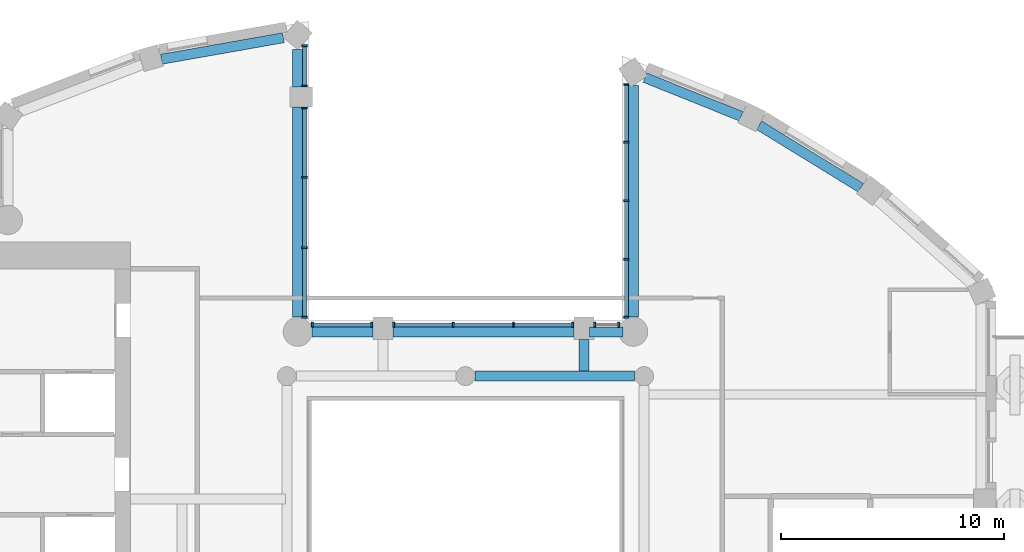
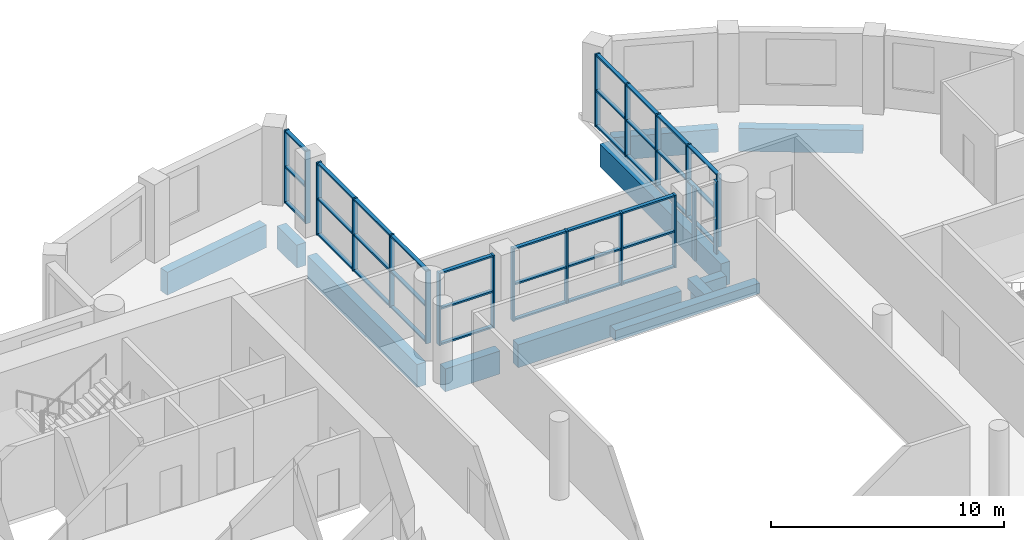
# One storey, part 2 of 14: 55 members, 11 beams, 6 elements without a shape of their own.
"""IFC4 building model written with IfcOpenShell, lengths in metres."""

from ifc_helpers import new_model, si_unit, direction, frame, origin, origin_2d, place, context, subcontext, project, spatial, rectangle, extrude, material, material_profile, profile_set, type_object, element, aggregate, save


model = new_model("IFC4")

# Units and contexts
model_context = context("Model", 3, precision=1e-05, world=origin(), true_north=direction((0.0, 1.0)))
body_context = subcontext(model_context, "Body", "Model", "MODEL_VIEW")
ifc_project = project(units=[si_unit("LENGTHUNIT", "METRE"), si_unit("AREAUNIT", "SQUARE_METRE"), si_unit("VOLUMEUNIT", "CUBIC_METRE"), si_unit("PLANEANGLEUNIT", "RADIAN"), si_unit("MASSUNIT", "GRAM", prefix="KILO")], contexts=[model_context])

# Site, building, storey
site_placement = place(None, origin())
site = spatial("IfcSite", under=ifc_project, at=site_placement, CompositionType="ELEMENT")
building_placement = place(site_placement, origin())
building = spatial("IfcBuilding", under=site, at=building_placement, Name="Cypress Arch Tower", CompositionType="ELEMENT")
storey_placement = place(building_placement, frame((0.0, 0.0, 255.699951171875)))
storey = spatial("IfcBuildingStorey", under=building, at=storey_placement, Name="L57", CompositionType="ELEMENT", Elevation=255.699951171875)

# Beams
ifc_material_1 = material(Name="Concrete C50/60", Category="concrete")
ifc_material_profile_1 = material_profile(ifc_material_1, rectangle(XDim=0.449951171875, YDim=0.550048828125, at=origin_2d()), Name="RC 450x550")
ifc_profile_set_1 = profile_set([ifc_material_profile_1], Name="Concrete C50/60")
beam_type_1 = type_object("IfcBeamType", Name="Floor beam RC 450x550 Concrete C50/60", PredefinedType="BEAM", material=ifc_profile_set_1)
beam_1_placement = place(storey_placement, frame((1.425048828125, 10.0, -0.574951171875), z_axis=(1.0, 0.0, 0.0), x_axis=(0.0, 1.0, 0.0)))
element("IfcBeam", 1, at=beam_1_placement, inside=storey, type_object=beam_type_1, Name="Floor beam L57 RB008", PredefinedType="BEAM", context=body_context, shape_type="SweptSolid", body=[
    extrude(rectangle(XDim=0.449951171875, YDim=0.550048828125, at=origin_2d()), origin(), (0.0, 0.0, 1.0), 7.14990234375),
])
beam_2_placement = place(storey_placement, frame((6.300048828125, 10.22509765625, -0.574951171875), z_axis=(0.0, 1.0, 0.0), x_axis=(-1.0, 0.0, 0.0)))
element("IfcBeam", 2, at=beam_2_placement, inside=storey, type_object=beam_type_1, Name="Floor beam L57 FB013", PredefinedType="BEAM", context=body_context, shape_type="SweptSolid", body=[
    extrude(rectangle(XDim=0.449951171875, YDim=0.550048828125, at=origin_2d()), origin(), (0.0, 0.0, 1.0), 1.4248046875),
])

# Curtain wall, members
ifc_material_2 = material(Name="Anodised aluminium, bronze finish, clear laminated double glazing", Category="aluminium")
curtain_wall_type = type_object("IfcCurtainWallType", Name="Curtain wall CW7 slot glazing", PredefinedType="NOTDEFINED", material=ifc_material_2)
curtain_wall_1_placement = place(storey_placement, origin())
curtain_wall_1 = element("IfcCurtainWall", 3, at=curtain_wall_1_placement, inside=storey, type_object=curtain_wall_type, Name="Curtain wall L57 slot C00.0", PredefinedType="NOTDEFINED")
ifc_material_3 = material(Name="Anodised aluminium, bronze finish", Category="aluminium")
ifc_material_profile_2 = material_profile(ifc_material_3, rectangle(XDim=0.239990234375, YDim=0.0849609375, at=origin_2d()), Name="Mullion 85x240")
ifc_profile_set_2 = profile_set([ifc_material_profile_2], Name="Anodised aluminium, bronze finish")
member_type_1 = type_object("IfcMemberType", Name="Mullion CW7 85x240", PredefinedType="MULLION", material=ifc_profile_set_2)
member_1_placement = place(storey_placement, frame((8.199951171875, 23.060302734375, 0.0), z_axis=(0.0, 0.0, 1.0), x_axis=(1.0, 0.0, 0.0)))
member_1 = element("IfcMember", 4, at=member_1_placement, type_object=member_type_1, Name="CW7 mullion 1", PredefinedType="MULLION", context=body_context, shape_type="SweptSolid", body=[
    extrude(rectangle(XDim=0.239990234375, YDim=0.0849609375, at=origin_2d()), origin(), (0.0, 0.0, 1.0), 3.800048828125),
])
member_2_placement = place(storey_placement, frame((8.199951171875, 20.477294921875, 0.0), z_axis=(0.0, 0.0, 1.0), x_axis=(1.0, 0.0, 0.0)))
member_2 = element("IfcMember", 5, at=member_2_placement, type_object=member_type_1, Name="CW7 mullion 2", PredefinedType="MULLION", context=body_context, shape_type="SweptSolid", body=[
    extrude(rectangle(XDim=0.239990234375, YDim=0.0849609375, at=origin_2d()), origin(), (0.0, 0.0, 1.0), 3.800048828125),
])
member_3_placement = place(storey_placement, frame((8.199951171875, 17.85205078125, 0.0), z_axis=(0.0, 0.0, 1.0), x_axis=(1.0, 0.0, 0.0)))
member_3 = element("IfcMember", 6, at=member_3_placement, type_object=member_type_1, Name="CW7 mullion 3", PredefinedType="MULLION", context=body_context, shape_type="SweptSolid", body=[
    extrude(rectangle(XDim=0.239990234375, YDim=0.0849609375, at=origin_2d()), origin(), (0.0, 0.0, 1.0), 3.800048828125),
])
member_4_placement = place(storey_placement, frame((8.199951171875, 15.226806640625, 0.0), z_axis=(0.0, 0.0, 1.0), x_axis=(1.0, 0.0, 0.0)))
member_4 = element("IfcMember", 7, at=member_4_placement, type_object=member_type_1, Name="CW7 mullion 4", PredefinedType="MULLION", context=body_context, shape_type="SweptSolid", body=[
    extrude(rectangle(XDim=0.239990234375, YDim=0.0849609375, at=origin_2d()), origin(), (0.0, 0.0, 1.0), 3.800048828125),
])
member_5_placement = place(storey_placement, frame((8.199951171875, 12.64404296875, 0.0), z_axis=(0.0, 0.0, 1.0), x_axis=(1.0, 0.0, 0.0)))
member_5 = element("IfcMember", 8, at=member_5_placement, type_object=member_type_1, Name="CW7 mullion 5", PredefinedType="MULLION", context=body_context, shape_type="SweptSolid", body=[
    extrude(rectangle(XDim=0.239990234375, YDim=0.0849609375, at=origin_2d()), origin(), (0.0, 0.0, 1.0), 3.800048828125),
])

curtain_wall_2_placement = place(storey_placement, origin())
curtain_wall_2 = element("IfcCurtainWall", 9, at=curtain_wall_2_placement, inside=storey, type_object=curtain_wall_type, Name="Curtain wall L57 slot C01.0", PredefinedType="NOTDEFINED")
member_6_placement = place(storey_placement, frame((7.85595703125, 12.300048828125, 0.0), z_axis=(0.0, 0.0, 1.0), x_axis=(0.0, -1.0, 0.0)))
member_6 = element("IfcMember", 10, at=member_6_placement, type_object=member_type_1, Name="CW7 mullion 1", PredefinedType="MULLION", context=body_context, shape_type="SweptSolid", body=[
    extrude(rectangle(XDim=0.239990234375, YDim=0.0849609375, at=origin_2d()), origin(), (0.0, 0.0, 1.0), 3.800048828125),
])
member_7_placement = place(storey_placement, frame((6.79248046875, 12.300048828125, 0.0), z_axis=(0.0, 0.0, 1.0), x_axis=(0.0, -1.0, 0.0)))
member_7 = element("IfcMember", 11, at=member_7_placement, type_object=member_type_1, Name="CW7 mullion 2", PredefinedType="MULLION", context=body_context, shape_type="SweptSolid", body=[
    extrude(rectangle(XDim=0.239990234375, YDim=0.0849609375, at=origin_2d()), origin(), (0.0, 0.0, 1.0), 3.800048828125),
])
aggregate(curtain_wall_2, [member_6, member_7])

curtain_wall_3_placement = place(storey_placement, origin())
curtain_wall_3 = element("IfcCurtainWall", 12, at=curtain_wall_3_placement, inside=storey, type_object=curtain_wall_type, Name="Curtain wall L57 slot C01.1", PredefinedType="NOTDEFINED")
member_8_placement = place(storey_placement, frame((5.8076171875, 12.300048828125, 0.0), z_axis=(0.0, 0.0, 1.0), x_axis=(0.0, -1.0, 0.0)))
member_8 = element("IfcMember", 13, at=member_8_placement, type_object=member_type_1, Name="CW7 mullion 1", PredefinedType="MULLION", context=body_context, shape_type="SweptSolid", body=[
    extrude(rectangle(XDim=0.239990234375, YDim=0.0849609375, at=origin_2d()), origin(), (0.0, 0.0, 1.0), 3.800048828125),
])
member_9_placement = place(storey_placement, frame((3.14990234375, 12.300048828125, 0.0), z_axis=(0.0, 0.0, 1.0), x_axis=(0.0, -1.0, 0.0)))
member_9 = element("IfcMember", 14, at=member_9_placement, type_object=member_type_1, Name="CW7 mullion 2", PredefinedType="MULLION", context=body_context, shape_type="SweptSolid", body=[
    extrude(rectangle(XDim=0.239990234375, YDim=0.0849609375, at=origin_2d()), origin(), (0.0, 0.0, 1.0), 3.800048828125),
])
member_10_placement = place(storey_placement, frame((0.449951171875, 12.300048828125, 0.0), z_axis=(0.0, 0.0, 1.0), x_axis=(0.0, -1.0, 0.0)))
member_10 = element("IfcMember", 15, at=member_10_placement, type_object=member_type_1, Name="CW7 mullion 3", PredefinedType="MULLION", context=body_context, shape_type="SweptSolid", body=[
    extrude(rectangle(XDim=0.239990234375, YDim=0.0849609375, at=origin_2d()), origin(), (0.0, 0.0, 1.0), 3.800048828125),
])
member_11_placement = place(storey_placement, frame((-2.20751953125, 12.300048828125, 0.0), z_axis=(0.0, 0.0, 1.0), x_axis=(0.0, -1.0, 0.0)))
member_11 = element("IfcMember", 16, at=member_11_placement, type_object=member_type_1, Name="CW7 mullion 4", PredefinedType="MULLION", context=body_context, shape_type="SweptSolid", body=[
    extrude(rectangle(XDim=0.239990234375, YDim=0.0849609375, at=origin_2d()), origin(), (0.0, 0.0, 1.0), 3.800048828125),
])

curtain_wall_4_placement = place(storey_placement, origin())
curtain_wall_4 = element("IfcCurtainWall", 17, at=curtain_wall_4_placement, inside=storey, type_object=curtain_wall_type, Name="Curtain wall L57 slot C01.2", PredefinedType="NOTDEFINED")
member_12_placement = place(storey_placement, frame((-3.1923828125, 12.300048828125, 0.0), z_axis=(0.0, 0.0, 1.0), x_axis=(0.0, -1.0, 0.0)))
member_12 = element("IfcMember", 18, at=member_12_placement, type_object=member_type_1, Name="CW7 mullion 1", PredefinedType="MULLION", context=body_context, shape_type="SweptSolid", body=[
    extrude(rectangle(XDim=0.239990234375, YDim=0.0849609375, at=origin_2d()), origin(), (0.0, 0.0, 1.0), 3.800048828125),
])
member_13_placement = place(storey_placement, frame((-5.85595703125, 12.300048828125, 0.0), z_axis=(0.0, 0.0, 1.0), x_axis=(0.0, -1.0, 0.0)))
member_13 = element("IfcMember", 19, at=member_13_placement, type_object=member_type_1, Name="CW7 mullion 2", PredefinedType="MULLION", context=body_context, shape_type="SweptSolid", body=[
    extrude(rectangle(XDim=0.239990234375, YDim=0.0849609375, at=origin_2d()), origin(), (0.0, 0.0, 1.0), 3.800048828125),
])

curtain_wall_5_placement = place(storey_placement, origin())
curtain_wall_5 = element("IfcCurtainWall", 20, at=curtain_wall_5_placement, inside=storey, type_object=curtain_wall_type, Name="Curtain wall L57 slot C02.0", PredefinedType="NOTDEFINED")
member_14_placement = place(storey_placement, frame((-6.199951171875, 12.64404296875, 0.0), z_axis=(0.0, 0.0, 1.0), x_axis=(-1.0, 0.0, 0.0)))
member_14 = element("IfcMember", 21, at=member_14_placement, type_object=member_type_1, Name="CW7 mullion 1", PredefinedType="MULLION", context=body_context, shape_type="SweptSolid", body=[
    extrude(rectangle(XDim=0.239990234375, YDim=0.0849609375, at=origin_2d()), origin(), (0.0, 0.0, 1.0), 3.800048828125),
])
member_15_placement = place(storey_placement, frame((-6.199951171875, 15.7509765625, 0.0), z_axis=(0.0, 0.0, 1.0), x_axis=(-1.0, 0.0, 0.0)))
member_15 = element("IfcMember", 22, at=member_15_placement, type_object=member_type_1, Name="CW7 mullion 2", PredefinedType="MULLION", context=body_context, shape_type="SweptSolid", body=[
    extrude(rectangle(XDim=0.239990234375, YDim=0.0849609375, at=origin_2d()), origin(), (0.0, 0.0, 1.0), 3.800048828125),
])
member_16_placement = place(storey_placement, frame((-6.199951171875, 18.900390625, 0.0), z_axis=(0.0, 0.0, 1.0), x_axis=(-1.0, 0.0, 0.0)))
member_16 = element("IfcMember", 23, at=member_16_placement, type_object=member_type_1, Name="CW7 mullion 3", PredefinedType="MULLION", context=body_context, shape_type="SweptSolid", body=[
    extrude(rectangle(XDim=0.239990234375, YDim=0.0849609375, at=origin_2d()), origin(), (0.0, 0.0, 1.0), 3.800048828125),
])
member_17_placement = place(storey_placement, frame((-6.199951171875, 22.007568359375, 0.0), z_axis=(0.0, 0.0, 1.0), x_axis=(-1.0, 0.0, 0.0)))
member_17 = element("IfcMember", 24, at=member_17_placement, type_object=member_type_1, Name="CW7 mullion 4", PredefinedType="MULLION", context=body_context, shape_type="SweptSolid", body=[
    extrude(rectangle(XDim=0.239990234375, YDim=0.0849609375, at=origin_2d()), origin(), (0.0, 0.0, 1.0), 3.800048828125),
])

curtain_wall_6_placement = place(storey_placement, origin())
curtain_wall_6 = element("IfcCurtainWall", 25, at=curtain_wall_6_placement, inside=storey, type_object=curtain_wall_type, Name="Curtain wall L57 slot C02.1", PredefinedType="NOTDEFINED")
member_18_placement = place(storey_placement, frame((-6.199951171875, 22.992431640625, 0.0), z_axis=(0.0, 0.0, 1.0), x_axis=(-1.0, 0.0, 0.0)))
member_18 = element("IfcMember", 26, at=member_18_placement, type_object=member_type_1, Name="CW7 mullion 1", PredefinedType="MULLION", context=body_context, shape_type="SweptSolid", body=[
    extrude(rectangle(XDim=0.239990234375, YDim=0.0849609375, at=origin_2d()), origin(), (0.0, 0.0, 1.0), 3.800048828125),
])
member_19_placement = place(storey_placement, frame((-6.199951171875, 24.789794921875, 0.0), z_axis=(0.0, 0.0, 1.0), x_axis=(-1.0, 0.0, 0.0)))
member_19 = element("IfcMember", 27, at=member_19_placement, type_object=member_type_1, Name="CW7 mullion 2", PredefinedType="MULLION", context=body_context, shape_type="SweptSolid", body=[
    extrude(rectangle(XDim=0.239990234375, YDim=0.0849609375, at=origin_2d()), origin(), (0.0, 0.0, 1.0), 3.800048828125),
])

# Beams
ifc_material_4 = material(Name="Concrete C50/60", Category="concrete")
ifc_material_profile_3 = material_profile(ifc_material_4, rectangle(XDim=0.449951171875, YDim=1.199951171875, at=origin_2d()), Name="RC 450x1200")
ifc_profile_set_3 = profile_set([ifc_material_profile_3], Name="Concrete C50/60")
beam_type_2 = type_object("IfcBeamType", Name="Spandrel beam RC 450x1200 Concrete C50/60", PredefinedType="SPANDREL", material=ifc_profile_set_3)
beam_3_placement = place(storey_placement, frame((8.52490234375, 23.017578125, -1.550048828125), z_axis=(0.0, -1.0, 0.0), x_axis=(1.0, 0.0, 0.0)))
element("IfcBeam", 28, at=beam_3_placement, inside=storey, type_object=beam_type_2, Name="Spandrel beam L57 BC00-0", PredefinedType="SPANDREL", context=body_context, shape_type="SweptSolid", body=[
    extrude(rectangle(XDim=0.449951171875, YDim=1.199951171875, at=origin_2d()), origin(), (0.0, 0.0, 1.0), 10.380126953125),
])
beam_4_placement = place(storey_placement, frame((8.05615234375, 11.97509765625, -1.550048828125), z_axis=(-1.0, 0.0, 0.0), x_axis=(0.0, -1.0, 0.0)))
element("IfcBeam", 29, at=beam_4_placement, inside=storey, type_object=beam_type_2, Name="Spandrel beam L57 BC01-0", PredefinedType="SPANDREL", context=body_context, shape_type="SweptSolid", body=[
    extrude(rectangle(XDim=0.449951171875, YDim=1.199951171875, at=origin_2d()), origin(), (0.0, 0.0, 1.0), 1.5),
])
beam_5_placement = place(storey_placement, frame((5.85009765625, 11.97509765625, -1.550048828125), z_axis=(-1.0, 0.0, 0.0), x_axis=(0.0, -1.0, 0.0)))
element("IfcBeam", 30, at=beam_5_placement, inside=storey, type_object=beam_type_2, Name="Spandrel beam L57 BC01-1", PredefinedType="SPANDREL", context=body_context, shape_type="SweptSolid", body=[
    extrude(rectangle(XDim=0.449951171875, YDim=1.199951171875, at=origin_2d()), origin(), (0.0, 0.0, 1.0), 8.10009765625),
])
beam_6_placement = place(storey_placement, frame((-3.14990234375, 11.97509765625, -1.550048828125), z_axis=(-1.0, 0.0, 0.0), x_axis=(0.0, -1.0, 0.0)))
element("IfcBeam", 31, at=beam_6_placement, inside=storey, type_object=beam_type_2, Name="Spandrel beam L57 BC01-2", PredefinedType="SPANDREL", context=body_context, shape_type="SweptSolid", body=[
    extrude(rectangle(XDim=0.449951171875, YDim=1.199951171875, at=origin_2d()), origin(), (0.0, 0.0, 1.0), 2.712646484375),
])
beam_7_placement = place(storey_placement, frame((-6.52490234375, 12.637451171875, -1.550048828125), z_axis=(0.0, 1.0, 0.0), x_axis=(-1.0, 0.0, 0.0)))
element("IfcBeam", 32, at=beam_7_placement, inside=storey, type_object=beam_type_2, Name="Spandrel beam L57 BC02-0", PredefinedType="SPANDREL", context=body_context, shape_type="SweptSolid", body=[
    extrude(rectangle(XDim=0.449951171875, YDim=1.199951171875, at=origin_2d()), origin(), (0.0, 0.0, 1.0), 9.41259765625),
])
beam_8_placement = place(storey_placement, frame((-6.52490234375, 22.949951171875, -1.550048828125), z_axis=(0.0, 1.0, 0.0), x_axis=(-1.0, 0.0, 0.0)))
element("IfcBeam", 33, at=beam_8_placement, inside=storey, type_object=beam_type_2, Name="Spandrel beam L57 BC02-1", PredefinedType="SPANDREL", context=body_context, shape_type="SweptSolid", body=[
    extrude(rectangle(XDim=0.449951171875, YDim=1.199951171875, at=origin_2d()), origin(), (0.0, 0.0, 1.0), 1.6796875),
])
beam_9_placement = place(storey_placement, frame((-7.14990234375, 25.154052734375, -1.550048828125), z_axis=(-0.984800388539, -0.173689938494, 0.0), x_axis=(0.173689938494, -0.984800388539, 0.0)))
element("IfcBeam", 34, at=beam_9_placement, inside=storey, type_object=beam_type_2, Name="Spandrel beam L57 BC03-0", PredefinedType="SPANDREL", context=body_context, shape_type="SweptSolid", body=[
    extrude(rectangle(XDim=0.449951171875, YDim=1.199951171875, at=origin_2d()), origin(), (0.0, 0.0, 1.0), 5.5478515625),
])
beam_10_placement = place(storey_placement, frame((18.700927734375, 18.43359375, -1.550048828125), z_axis=(-0.851880940975, 0.523735488966, 0.0), x_axis=(-0.523735488966, -0.851880940975, 0.0)))
element("IfcBeam", 35, at=beam_10_placement, inside=storey, type_object=beam_type_2, Name="Spandrel beam L57 BC19-0", PredefinedType="SPANDREL", context=body_context, shape_type="SweptSolid", body=[
    extrude(rectangle(XDim=0.449951171875, YDim=1.199951171875, at=origin_2d()), origin(), (0.0, 0.0, 1.0), 5.344970703125),
])
beam_11_placement = place(storey_placement, frame((13.343994140625, 21.6376953125, -1.550048828125), z_axis=(-0.92793836678, 0.372733668263, 0.0), x_axis=(-0.372733668263, -0.92793836678, 0.0)))
element("IfcBeam", 36, at=beam_11_placement, inside=storey, type_object=beam_type_2, Name="Spandrel beam L57 BC20-0", PredefinedType="SPANDREL", context=body_context, shape_type="SweptSolid", body=[
    extrude(rectangle(XDim=0.449951171875, YDim=1.199951171875, at=origin_2d()), origin(), (0.0, 0.0, 1.0), 4.637451171875),
])

# Member
ifc_material_5 = material(Name="Anodised aluminium, bronze finish", Category="aluminium")
ifc_material_profile_4 = material_profile(ifc_material_5, rectangle(XDim=0.179931640625, YDim=0.0849609375, at=origin_2d()), Name="Transom 85x180")
ifc_profile_set_4 = profile_set([ifc_material_profile_4], Name="Anodised aluminium, bronze finish")
member_type_2 = type_object("IfcMemberType", Name="Transom CW7 85x180", PredefinedType="USERDEFINED", material=ifc_profile_set_4)
member_20_placement = place(storey_placement, frame((8.199951171875, 23.017578125, 0.04248046875), z_axis=(0.0, -1.0, 0.0), x_axis=(1.0, 0.0, 0.0)))
member_20 = element("IfcMember", 37, at=member_20_placement, type_object=member_type_2, Name="CW7 transom 1.1", ObjectType="TRANSOM", PredefinedType="USERDEFINED", context=body_context, shape_type="SweptSolid", body=[
    extrude(rectangle(XDim=0.179931640625, YDim=0.0849609375, at=origin_2d()), origin(), (0.0, 0.0, 1.0), 2.497802734375),
])

member_21_placement = place(storey_placement, frame((8.199951171875, 23.017578125, 1.900146484375), z_axis=(0.0, -1.0, 0.0), x_axis=(1.0, 0.0, 0.0)))
member_21 = element("IfcMember", 38, at=member_21_placement, type_object=member_type_2, Name="CW7 transom 1.2", ObjectType="TRANSOM", PredefinedType="USERDEFINED", context=body_context, shape_type="SweptSolid", body=[
    extrude(rectangle(XDim=0.179931640625, YDim=0.0849609375, at=origin_2d()), origin(), (0.0, 0.0, 1.0), 2.497802734375),
])

member_22_placement = place(storey_placement, frame((8.199951171875, 23.017578125, 3.757568359375), z_axis=(0.0, -1.0, 0.0), x_axis=(1.0, 0.0, 0.0)))
member_22 = element("IfcMember", 39, at=member_22_placement, type_object=member_type_2, Name="CW7 transom 1.3", ObjectType="TRANSOM", PredefinedType="USERDEFINED", context=body_context, shape_type="SweptSolid", body=[
    extrude(rectangle(XDim=0.179931640625, YDim=0.0849609375, at=origin_2d()), origin(), (0.0, 0.0, 1.0), 2.497802734375),
])

member_23_placement = place(storey_placement, frame((8.199951171875, 20.434814453125, 0.04248046875), z_axis=(0.0, -1.0, 0.0), x_axis=(1.0, 0.0, 0.0)))
member_23 = element("IfcMember", 40, at=member_23_placement, type_object=member_type_2, Name="CW7 transom 2.1", ObjectType="TRANSOM", PredefinedType="USERDEFINED", context=body_context, shape_type="SweptSolid", body=[
    extrude(rectangle(XDim=0.179931640625, YDim=0.0849609375, at=origin_2d()), origin(), (0.0, 0.0, 1.0), 2.540283203125),
])

member_24_placement = place(storey_placement, frame((8.199951171875, 20.434814453125, 1.900146484375), z_axis=(0.0, -1.0, 0.0), x_axis=(1.0, 0.0, 0.0)))
member_24 = element("IfcMember", 41, at=member_24_placement, type_object=member_type_2, Name="CW7 transom 2.2", ObjectType="TRANSOM", PredefinedType="USERDEFINED", context=body_context, shape_type="SweptSolid", body=[
    extrude(rectangle(XDim=0.179931640625, YDim=0.0849609375, at=origin_2d()), origin(), (0.0, 0.0, 1.0), 2.540283203125),
])

member_25_placement = place(storey_placement, frame((8.199951171875, 20.434814453125, 3.757568359375), z_axis=(0.0, -1.0, 0.0), x_axis=(1.0, 0.0, 0.0)))
member_25 = element("IfcMember", 42, at=member_25_placement, type_object=member_type_2, Name="CW7 transom 2.3", ObjectType="TRANSOM", PredefinedType="USERDEFINED", context=body_context, shape_type="SweptSolid", body=[
    extrude(rectangle(XDim=0.179931640625, YDim=0.0849609375, at=origin_2d()), origin(), (0.0, 0.0, 1.0), 2.540283203125),
])

member_26_placement = place(storey_placement, frame((8.199951171875, 17.8095703125, 0.04248046875), z_axis=(0.0, -1.0, 0.0), x_axis=(1.0, 0.0, 0.0)))
member_26 = element("IfcMember", 43, at=member_26_placement, type_object=member_type_2, Name="CW7 transom 3.1", ObjectType="TRANSOM", PredefinedType="USERDEFINED", context=body_context, shape_type="SweptSolid", body=[
    extrude(rectangle(XDim=0.179931640625, YDim=0.0849609375, at=origin_2d()), origin(), (0.0, 0.0, 1.0), 2.540283203125),
])

member_27_placement = place(storey_placement, frame((8.199951171875, 17.8095703125, 1.900146484375), z_axis=(0.0, -1.0, 0.0), x_axis=(1.0, 0.0, 0.0)))
member_27 = element("IfcMember", 44, at=member_27_placement, type_object=member_type_2, Name="CW7 transom 3.2", ObjectType="TRANSOM", PredefinedType="USERDEFINED", context=body_context, shape_type="SweptSolid", body=[
    extrude(rectangle(XDim=0.179931640625, YDim=0.0849609375, at=origin_2d()), origin(), (0.0, 0.0, 1.0), 2.540283203125),
])

member_28_placement = place(storey_placement, frame((8.199951171875, 17.8095703125, 3.757568359375), z_axis=(0.0, -1.0, 0.0), x_axis=(1.0, 0.0, 0.0)))
member_28 = element("IfcMember", 45, at=member_28_placement, type_object=member_type_2, Name="CW7 transom 3.3", ObjectType="TRANSOM", PredefinedType="USERDEFINED", context=body_context, shape_type="SweptSolid", body=[
    extrude(rectangle(XDim=0.179931640625, YDim=0.0849609375, at=origin_2d()), origin(), (0.0, 0.0, 1.0), 2.540283203125),
])

member_29_placement = place(storey_placement, frame((8.199951171875, 15.184326171875, 0.04248046875), z_axis=(0.0, -1.0, 0.0), x_axis=(1.0, 0.0, 0.0)))
member_29 = element("IfcMember", 46, at=member_29_placement, type_object=member_type_2, Name="CW7 transom 4.1", ObjectType="TRANSOM", PredefinedType="USERDEFINED", context=body_context, shape_type="SweptSolid", body=[
    extrude(rectangle(XDim=0.179931640625, YDim=0.0849609375, at=origin_2d()), origin(), (0.0, 0.0, 1.0), 2.497802734375),
])

member_30_placement = place(storey_placement, frame((8.199951171875, 15.184326171875, 1.900146484375), z_axis=(0.0, -1.0, 0.0), x_axis=(1.0, 0.0, 0.0)))
member_30 = element("IfcMember", 47, at=member_30_placement, type_object=member_type_2, Name="CW7 transom 4.2", ObjectType="TRANSOM", PredefinedType="USERDEFINED", context=body_context, shape_type="SweptSolid", body=[
    extrude(rectangle(XDim=0.179931640625, YDim=0.0849609375, at=origin_2d()), origin(), (0.0, 0.0, 1.0), 2.497802734375),
])

member_31_placement = place(storey_placement, frame((8.199951171875, 15.184326171875, 3.757568359375), z_axis=(0.0, -1.0, 0.0), x_axis=(1.0, 0.0, 0.0)))
member_31 = element("IfcMember", 48, at=member_31_placement, type_object=member_type_2, Name="CW7 transom 4.3", ObjectType="TRANSOM", PredefinedType="USERDEFINED", context=body_context, shape_type="SweptSolid", body=[
    extrude(rectangle(XDim=0.179931640625, YDim=0.0849609375, at=origin_2d()), origin(), (0.0, 0.0, 1.0), 2.497802734375),
])

aggregate(curtain_wall_1, [member_1, member_2, member_3, member_4, member_5, member_20, member_21, member_22, member_23, member_24, member_25, member_26, member_27, member_28, member_29, member_30, member_31])

member_32_placement = place(storey_placement, frame((5.764892578125, 12.300048828125, 0.04248046875), z_axis=(-1.0, 0.0, 0.0), x_axis=(0.0, -1.0, 0.0)))
member_32 = element("IfcMember", 49, at=member_32_placement, type_object=member_type_2, Name="CW7 transom 1.1", ObjectType="TRANSOM", PredefinedType="USERDEFINED", context=body_context, shape_type="SweptSolid", body=[
    extrude(rectangle(XDim=0.179931640625, YDim=0.0849609375, at=origin_2d()), origin(), (0.0, 0.0, 1.0), 2.572509765625),
])

member_33_placement = place(storey_placement, frame((5.764892578125, 12.300048828125, 1.900146484375), z_axis=(-1.0, 0.0, 0.0), x_axis=(0.0, -1.0, 0.0)))
member_33 = element("IfcMember", 50, at=member_33_placement, type_object=member_type_2, Name="CW7 transom 1.2", ObjectType="TRANSOM", PredefinedType="USERDEFINED", context=body_context, shape_type="SweptSolid", body=[
    extrude(rectangle(XDim=0.179931640625, YDim=0.0849609375, at=origin_2d()), origin(), (0.0, 0.0, 1.0), 2.572509765625),
])

member_34_placement = place(storey_placement, frame((5.764892578125, 12.300048828125, 3.757568359375), z_axis=(-1.0, 0.0, 0.0), x_axis=(0.0, -1.0, 0.0)))
member_34 = element("IfcMember", 51, at=member_34_placement, type_object=member_type_2, Name="CW7 transom 1.3", ObjectType="TRANSOM", PredefinedType="USERDEFINED", context=body_context, shape_type="SweptSolid", body=[
    extrude(rectangle(XDim=0.179931640625, YDim=0.0849609375, at=origin_2d()), origin(), (0.0, 0.0, 1.0), 2.572509765625),
])

member_35_placement = place(storey_placement, frame((3.107421875, 12.300048828125, 0.04248046875), z_axis=(-1.0, 0.0, 0.0), x_axis=(0.0, -1.0, 0.0)))
member_35 = element("IfcMember", 52, at=member_35_placement, type_object=member_type_2, Name="CW7 transom 2.1", ObjectType="TRANSOM", PredefinedType="USERDEFINED", context=body_context, shape_type="SweptSolid", body=[
    extrude(rectangle(XDim=0.179931640625, YDim=0.0849609375, at=origin_2d()), origin(), (0.0, 0.0, 1.0), 2.614990234375),
])

member_36_placement = place(storey_placement, frame((3.107421875, 12.300048828125, 1.900146484375), z_axis=(-1.0, 0.0, 0.0), x_axis=(0.0, -1.0, 0.0)))
member_36 = element("IfcMember", 53, at=member_36_placement, type_object=member_type_2, Name="CW7 transom 2.2", ObjectType="TRANSOM", PredefinedType="USERDEFINED", context=body_context, shape_type="SweptSolid", body=[
    extrude(rectangle(XDim=0.179931640625, YDim=0.0849609375, at=origin_2d()), origin(), (0.0, 0.0, 1.0), 2.614990234375),
])

member_37_placement = place(storey_placement, frame((3.107421875, 12.300048828125, 3.757568359375), z_axis=(-1.0, 0.0, 0.0), x_axis=(0.0, -1.0, 0.0)))
member_37 = element("IfcMember", 54, at=member_37_placement, type_object=member_type_2, Name="CW7 transom 2.3", ObjectType="TRANSOM", PredefinedType="USERDEFINED", context=body_context, shape_type="SweptSolid", body=[
    extrude(rectangle(XDim=0.179931640625, YDim=0.0849609375, at=origin_2d()), origin(), (0.0, 0.0, 1.0), 2.614990234375),
])

member_38_placement = place(storey_placement, frame((0.407470703125, 12.300048828125, 0.04248046875), z_axis=(-1.0, 0.0, 0.0), x_axis=(0.0, -1.0, 0.0)))
member_38 = element("IfcMember", 55, at=member_38_placement, type_object=member_type_2, Name="CW7 transom 3.1", ObjectType="TRANSOM", PredefinedType="USERDEFINED", context=body_context, shape_type="SweptSolid", body=[
    extrude(rectangle(XDim=0.179931640625, YDim=0.0849609375, at=origin_2d()), origin(), (0.0, 0.0, 1.0), 2.572509765625),
])

member_39_placement = place(storey_placement, frame((0.407470703125, 12.300048828125, 1.900146484375), z_axis=(-1.0, 0.0, 0.0), x_axis=(0.0, -1.0, 0.0)))
member_39 = element("IfcMember", 56, at=member_39_placement, type_object=member_type_2, Name="CW7 transom 3.2", ObjectType="TRANSOM", PredefinedType="USERDEFINED", context=body_context, shape_type="SweptSolid", body=[
    extrude(rectangle(XDim=0.179931640625, YDim=0.0849609375, at=origin_2d()), origin(), (0.0, 0.0, 1.0), 2.572509765625),
])

member_40_placement = place(storey_placement, frame((0.407470703125, 12.300048828125, 3.757568359375), z_axis=(-1.0, 0.0, 0.0), x_axis=(0.0, -1.0, 0.0)))
member_40 = element("IfcMember", 57, at=member_40_placement, type_object=member_type_2, Name="CW7 transom 3.3", ObjectType="TRANSOM", PredefinedType="USERDEFINED", context=body_context, shape_type="SweptSolid", body=[
    extrude(rectangle(XDim=0.179931640625, YDim=0.0849609375, at=origin_2d()), origin(), (0.0, 0.0, 1.0), 2.572509765625),
])

aggregate(curtain_wall_3, [member_8, member_9, member_10, member_11, member_32, member_33, member_34, member_35, member_36, member_37, member_38, member_39, member_40])

member_41_placement = place(storey_placement, frame((-3.235107421875, 12.300048828125, 0.04248046875), z_axis=(-1.0, 0.0, 0.0), x_axis=(0.0, -1.0, 0.0)))
member_41 = element("IfcMember", 58, at=member_41_placement, type_object=member_type_2, Name="CW7 transom 1.1", ObjectType="TRANSOM", PredefinedType="USERDEFINED", context=body_context, shape_type="SweptSolid", body=[
    extrude(rectangle(XDim=0.179931640625, YDim=0.0849609375, at=origin_2d()), origin(), (0.0, 0.0, 1.0), 2.578369140625),
])

member_42_placement = place(storey_placement, frame((-3.235107421875, 12.300048828125, 1.900146484375), z_axis=(-1.0, 0.0, 0.0), x_axis=(0.0, -1.0, 0.0)))
member_42 = element("IfcMember", 59, at=member_42_placement, type_object=member_type_2, Name="CW7 transom 1.2", ObjectType="TRANSOM", PredefinedType="USERDEFINED", context=body_context, shape_type="SweptSolid", body=[
    extrude(rectangle(XDim=0.179931640625, YDim=0.0849609375, at=origin_2d()), origin(), (0.0, 0.0, 1.0), 2.578369140625),
])

member_43_placement = place(storey_placement, frame((-3.235107421875, 12.300048828125, 3.757568359375), z_axis=(-1.0, 0.0, 0.0), x_axis=(0.0, -1.0, 0.0)))
member_43 = element("IfcMember", 60, at=member_43_placement, type_object=member_type_2, Name="CW7 transom 1.3", ObjectType="TRANSOM", PredefinedType="USERDEFINED", context=body_context, shape_type="SweptSolid", body=[
    extrude(rectangle(XDim=0.179931640625, YDim=0.0849609375, at=origin_2d()), origin(), (0.0, 0.0, 1.0), 2.578369140625),
])

aggregate(curtain_wall_4, [member_12, member_13, member_41, member_42, member_43])

member_44_placement = place(storey_placement, frame((-6.199951171875, 12.6865234375, 0.04248046875), z_axis=(0.0, 1.0, 0.0), x_axis=(-1.0, 0.0, 0.0)))
member_44 = element("IfcMember", 61, at=member_44_placement, type_object=member_type_2, Name="CW7 transom 1.1", ObjectType="TRANSOM", PredefinedType="USERDEFINED", context=body_context, shape_type="SweptSolid", body=[
    extrude(rectangle(XDim=0.179931640625, YDim=0.0849609375, at=origin_2d()), origin(), (0.0, 0.0, 1.0), 3.02197265625),
])

member_45_placement = place(storey_placement, frame((-6.199951171875, 12.6865234375, 1.900146484375), z_axis=(0.0, 1.0, 0.0), x_axis=(-1.0, 0.0, 0.0)))
member_45 = element("IfcMember", 62, at=member_45_placement, type_object=member_type_2, Name="CW7 transom 1.2", ObjectType="TRANSOM", PredefinedType="USERDEFINED", context=body_context, shape_type="SweptSolid", body=[
    extrude(rectangle(XDim=0.179931640625, YDim=0.0849609375, at=origin_2d()), origin(), (0.0, 0.0, 1.0), 3.02197265625),
])

member_46_placement = place(storey_placement, frame((-6.199951171875, 12.6865234375, 3.757568359375), z_axis=(0.0, 1.0, 0.0), x_axis=(-1.0, 0.0, 0.0)))
member_46 = element("IfcMember", 63, at=member_46_placement, type_object=member_type_2, Name="CW7 transom 1.3", ObjectType="TRANSOM", PredefinedType="USERDEFINED", context=body_context, shape_type="SweptSolid", body=[
    extrude(rectangle(XDim=0.179931640625, YDim=0.0849609375, at=origin_2d()), origin(), (0.0, 0.0, 1.0), 3.02197265625),
])

member_47_placement = place(storey_placement, frame((-6.199951171875, 15.79345703125, 0.04248046875), z_axis=(0.0, 1.0, 0.0), x_axis=(-1.0, 0.0, 0.0)))
member_47 = element("IfcMember", 64, at=member_47_placement, type_object=member_type_2, Name="CW7 transom 2.1", ObjectType="TRANSOM", PredefinedType="USERDEFINED", context=body_context, shape_type="SweptSolid", body=[
    extrude(rectangle(XDim=0.179931640625, YDim=0.0849609375, at=origin_2d()), origin(), (0.0, 0.0, 1.0), 3.064453125),
])

member_48_placement = place(storey_placement, frame((-6.199951171875, 15.79345703125, 1.900146484375), z_axis=(0.0, 1.0, 0.0), x_axis=(-1.0, 0.0, 0.0)))
member_48 = element("IfcMember", 65, at=member_48_placement, type_object=member_type_2, Name="CW7 transom 2.2", ObjectType="TRANSOM", PredefinedType="USERDEFINED", context=body_context, shape_type="SweptSolid", body=[
    extrude(rectangle(XDim=0.179931640625, YDim=0.0849609375, at=origin_2d()), origin(), (0.0, 0.0, 1.0), 3.064453125),
])

member_49_placement = place(storey_placement, frame((-6.199951171875, 15.79345703125, 3.757568359375), z_axis=(0.0, 1.0, 0.0), x_axis=(-1.0, 0.0, 0.0)))
member_49 = element("IfcMember", 66, at=member_49_placement, type_object=member_type_2, Name="CW7 transom 2.3", ObjectType="TRANSOM", PredefinedType="USERDEFINED", context=body_context, shape_type="SweptSolid", body=[
    extrude(rectangle(XDim=0.179931640625, YDim=0.0849609375, at=origin_2d()), origin(), (0.0, 0.0, 1.0), 3.064453125),
])

member_50_placement = place(storey_placement, frame((-6.199951171875, 18.943115234375, 0.04248046875), z_axis=(0.0, 1.0, 0.0), x_axis=(-1.0, 0.0, 0.0)))
member_50 = element("IfcMember", 67, at=member_50_placement, type_object=member_type_2, Name="CW7 transom 3.1", ObjectType="TRANSOM", PredefinedType="USERDEFINED", context=body_context, shape_type="SweptSolid", body=[
    extrude(rectangle(XDim=0.179931640625, YDim=0.0849609375, at=origin_2d()), origin(), (0.0, 0.0, 1.0), 3.02197265625),
])

member_51_placement = place(storey_placement, frame((-6.199951171875, 18.943115234375, 1.900146484375), z_axis=(0.0, 1.0, 0.0), x_axis=(-1.0, 0.0, 0.0)))
member_51 = element("IfcMember", 68, at=member_51_placement, type_object=member_type_2, Name="CW7 transom 3.2", ObjectType="TRANSOM", PredefinedType="USERDEFINED", context=body_context, shape_type="SweptSolid", body=[
    extrude(rectangle(XDim=0.179931640625, YDim=0.0849609375, at=origin_2d()), origin(), (0.0, 0.0, 1.0), 3.02197265625),
])

member_52_placement = place(storey_placement, frame((-6.199951171875, 18.943115234375, 3.757568359375), z_axis=(0.0, 1.0, 0.0), x_axis=(-1.0, 0.0, 0.0)))
member_52 = element("IfcMember", 69, at=member_52_placement, type_object=member_type_2, Name="CW7 transom 3.3", ObjectType="TRANSOM", PredefinedType="USERDEFINED", context=body_context, shape_type="SweptSolid", body=[
    extrude(rectangle(XDim=0.179931640625, YDim=0.0849609375, at=origin_2d()), origin(), (0.0, 0.0, 1.0), 3.02197265625),
])

aggregate(curtain_wall_5, [member_14, member_15, member_16, member_17, member_44, member_45, member_46, member_47, member_48, member_49, member_50, member_51, member_52])

member_53_placement = place(storey_placement, frame((-6.199951171875, 23.034912109375, 0.04248046875), z_axis=(0.0, 1.0, 0.0), x_axis=(-1.0, 0.0, 0.0)))
member_53 = element("IfcMember", 70, at=member_53_placement, type_object=member_type_2, Name="CW7 transom 1.1", ObjectType="TRANSOM", PredefinedType="USERDEFINED", context=body_context, shape_type="SweptSolid", body=[
    extrude(rectangle(XDim=0.179931640625, YDim=0.0849609375, at=origin_2d()), origin(), (0.0, 0.0, 1.0), 1.71240234375),
])

member_54_placement = place(storey_placement, frame((-6.199951171875, 23.034912109375, 1.900146484375), z_axis=(0.0, 1.0, 0.0), x_axis=(-1.0, 0.0, 0.0)))
member_54 = element("IfcMember", 71, at=member_54_placement, type_object=member_type_2, Name="CW7 transom 1.2", ObjectType="TRANSOM", PredefinedType="USERDEFINED", context=body_context, shape_type="SweptSolid", body=[
    extrude(rectangle(XDim=0.179931640625, YDim=0.0849609375, at=origin_2d()), origin(), (0.0, 0.0, 1.0), 1.71240234375),
])

member_55_placement = place(storey_placement, frame((-6.199951171875, 23.034912109375, 3.757568359375), z_axis=(0.0, 1.0, 0.0), x_axis=(-1.0, 0.0, 0.0)))
member_55 = element("IfcMember", 72, at=member_55_placement, type_object=member_type_2, Name="CW7 transom 1.3", ObjectType="TRANSOM", PredefinedType="USERDEFINED", context=body_context, shape_type="SweptSolid", body=[
    extrude(rectangle(XDim=0.179931640625, YDim=0.0849609375, at=origin_2d()), origin(), (0.0, 0.0, 1.0), 1.71240234375),
])

aggregate(curtain_wall_6, [member_18, member_19, member_53, member_54, member_55])

save(model, "model.ifc")
